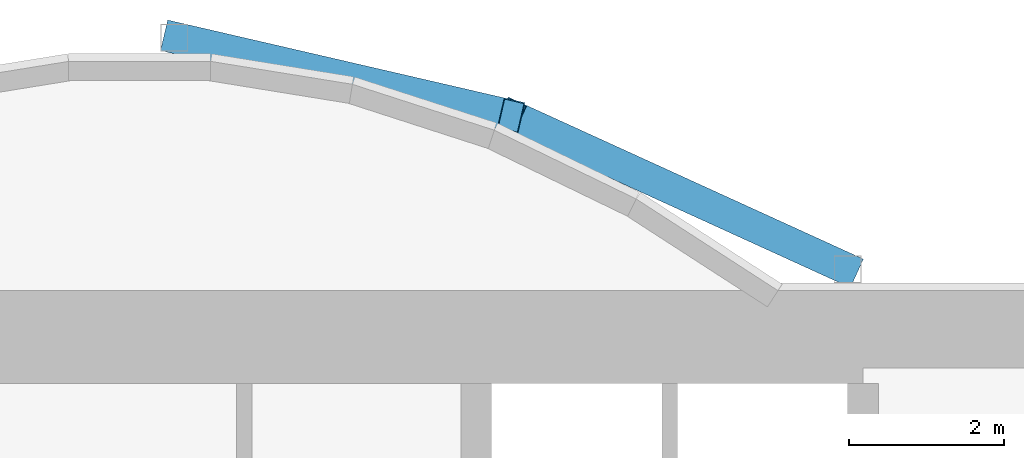
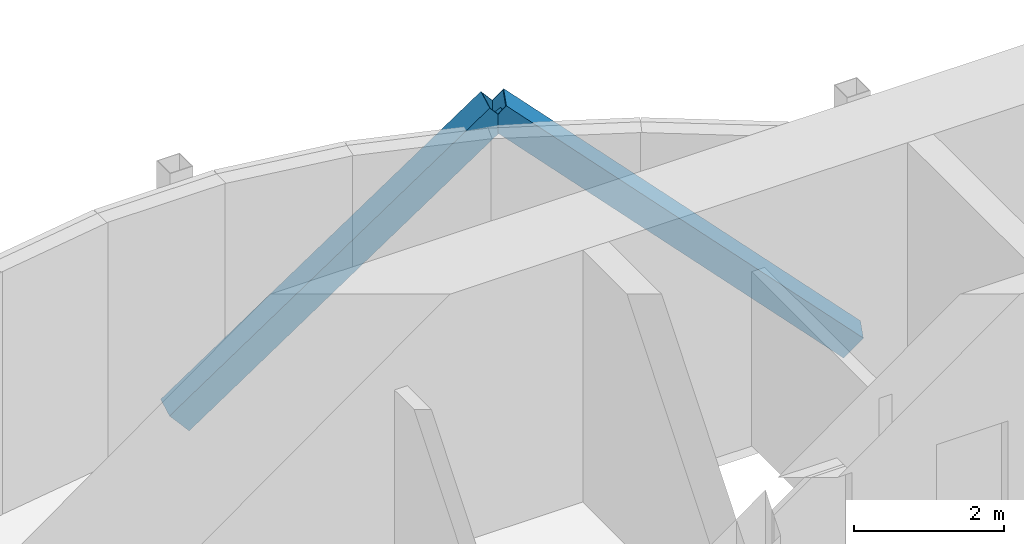
# One storey, part 11 of 20: 2 members.
"""IFC4 building model written with IfcOpenShell, lengths in metres."""

from ifc_helpers import new_model, si_unit, direction, frame, origin, origin_2d, place, context, subcontext, project, spatial, hollow_rectangle, extrude, material, material_profile, profile_set, type_object, element, save


model = new_model("IFC4")

# Units and contexts
model_context = context("Model", 3, precision=1e-05, world=origin(), true_north=direction((0.0, 1.0)))
body_context = subcontext(model_context, "Body", "Model", "MODEL_VIEW")
ifc_project = project(units=[si_unit("LENGTHUNIT", "METRE"), si_unit("AREAUNIT", "SQUARE_METRE"), si_unit("VOLUMEUNIT", "CUBIC_METRE"), si_unit("PLANEANGLEUNIT", "RADIAN"), si_unit("MASSUNIT", "GRAM", prefix="KILO")], contexts=[model_context])

# Site, building, storey
site_placement = place(None, origin())
site = spatial("IfcSite", under=ifc_project, at=site_placement, CompositionType="ELEMENT")
building_placement = place(site_placement, origin())
building = spatial("IfcBuilding", under=site, at=building_placement, Name="Bicima Exchange Tower", CompositionType="ELEMENT")
storey_placement = place(building_placement, frame((0.0, 0.0, 227.800048828125)))
storey = spatial("IfcBuildingStorey", under=building, at=storey_placement, Name="L51", CompositionType="ELEMENT", Elevation=227.800048828125)

# Members
ifc_material = material(Name="Steel ASTM A572 Gr 50", Category="steel")
ifc_material_profile = material_profile(ifc_material, hollow_rectangle(XDim=0.406494140625, YDim=0.406494140625, WallThickness=0.0146484375, at=origin_2d()))
ifc_profile_set = profile_set([ifc_material_profile], Name="Steel ASTM A572 Gr 50")
member_type = type_object("IfcMemberType", Name="Mega brace HSS16x16x5/8", PredefinedType="BRACE", material=ifc_profile_set)
member_1_placement = place(storey_placement, frame((8.699951171875, 3.26904296875, 0.0), z_axis=(0.717625168184, -0.166055032463, 0.676342993002), x_axis=(0.225438503722, 0.974257399787, 0.0)))
element("IfcMember", 1, at=member_1_placement, inside=storey, type_object=member_type, Name="Mega brace rexo", PredefinedType="BRACE", context=body_context, shape_type="SweptSolid", body=[
    extrude(hollow_rectangle(XDim=0.406494140625, YDim=0.406494140625, WallThickness=0.0146484375, at=origin_2d()), origin(), (0.0, 0.0, 1.0), 6.061767578125),
])
member_2_placement = place(storey_placement, frame((17.39990234375, 0.278076171875, 0.0), z_axis=(-0.690646390594, 0.3150684101, 0.650952732629), x_axis=(-0.415045223819, -0.909800781592, 0.0)))
element("IfcMember", 2, at=member_2_placement, inside=storey, type_object=member_type, Name="Mega brace rexo", PredefinedType="BRACE", context=body_context, shape_type="SweptSolid", body=[
    extrude(hollow_rectangle(XDim=0.406494140625, YDim=0.406494140625, WallThickness=0.0146484375, at=origin_2d()), origin(), (0.0, 0.0, 1.0), 6.29833984375),
])

save(model, "model.ifc")
